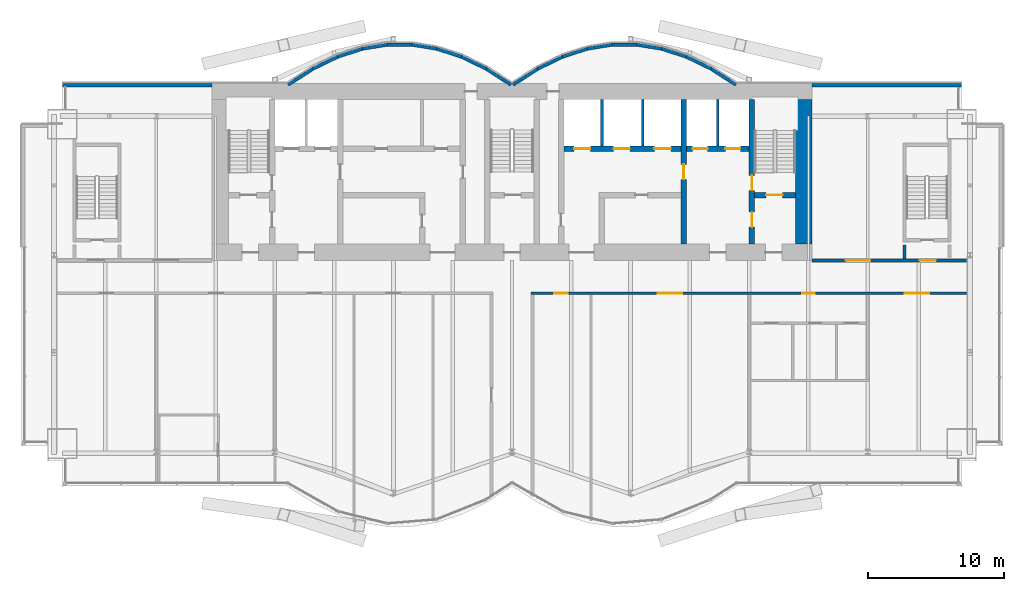
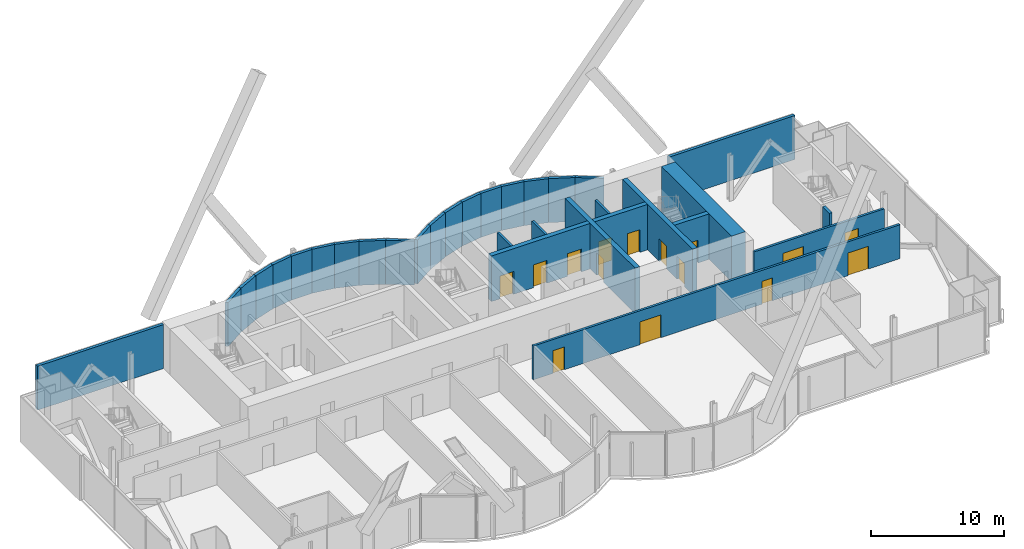
# One storey, part 18 of 22: 31 walls, 15 doors, 15 openings.
"""IFC4 building model written with IfcOpenShell, lengths in metres."""

from ifc_helpers import new_model, si_unit, direction, frame, frame_2d, origin, place, context, subcontext, project, spatial, rectangle, extrude, material, layer, layer_set, layer_usage, type_object, element, fill, save


model = new_model("IFC4")

# Units and contexts
model_context = context("Model", 3, precision=1e-05, world=origin(), true_north=direction((0.0, 1.0)))
body_context = subcontext(model_context, "Body", "Model", "MODEL_VIEW")
ifc_project = project(units=[si_unit("LENGTHUNIT", "METRE"), si_unit("AREAUNIT", "SQUARE_METRE"), si_unit("VOLUMEUNIT", "CUBIC_METRE"), si_unit("PLANEANGLEUNIT", "RADIAN"), si_unit("MASSUNIT", "GRAM", prefix="KILO")], contexts=[model_context])

# Site, building, storey
site_placement = place(None, origin())
site = spatial("IfcSite", under=ifc_project, at=site_placement, CompositionType="ELEMENT")
building_placement = place(site_placement, origin())
building = spatial("IfcBuilding", under=site, at=building_placement, Name="Bicima Exchange Tower", CompositionType="ELEMENT")
storey_placement = place(building_placement, frame((0.0, 0.0, 254.0)))
storey = spatial("IfcBuildingStorey", under=building, at=storey_placement, Name="L57", CompositionType="ELEMENT", Elevation=254.0)

# Walls
ifc_material_1 = material(Name="Gypsum board partition")
ifc_layer_1 = layer(ifc_material_1, 0.199951171875)
ifc_layer_set_1 = layer_set([ifc_layer_1], Name="Gypsum board partition")
wall_type_1 = type_object("IfcWallType", Name="Fire-rated gypsum partition 200 EI120", PredefinedType="PARTITIONING", material=ifc_layer_set_1)
for number, where, z_axis, x_axis, name in (
    (1, (6.60009765625, -4.60009765625, 0.0), (0.0, 0.0, 1.0), (0.0, 1.0, 0.0), "partition wall 18"),
    (2, (9.60009765625, -4.60009765625, 0.0), (0.0, 0.0, 1.0), (0.0, 1.0, 0.0), "partition wall 19"),
    (3, (15.10009765625, -4.60009765625, 0.0), (0.0, 0.0, 1.0), (0.0, 1.0, 0.0), "partition wall 21"),
):
    element("IfcWall", number, at=place(storey_placement, frame(where, z_axis=z_axis, x_axis=x_axis)), inside=storey, type_object=wall_type_1, Name=name, PredefinedType="PARTITIONING", context=body_context, shape_type="SweptSolid", body=[
        extrude(rectangle(XDim=3.400146484375, YDim=0.199951171875, at=frame_2d((1.7001953125, 0.0))), origin(), (0.0, 0.0, 1.0), 3.1181640625),
    ])

# Wall, openings, doors
ifc_layer_2 = layer(ifc_material_1, 0.199951171875)
ifc_layer_set_2 = layer_set([ifc_layer_2], Name="Gypsum board partition")
wall_type_2 = type_object("IfcWallType", Name="Fire-rated gypsum partition 200 EI60", PredefinedType="PARTITIONING", material=ifc_layer_set_2)
wall_1_placement = place(storey_placement, frame((1.39990234375, -15.39990234375, 0.0), z_axis=(0.0, 0.0, 1.0), x_axis=(1.0, 0.0, 0.0)))
wall_1 = element("IfcWall", 4, at=wall_1_placement, inside=storey, type_object=wall_type_2, Name="partition wall 5", PredefinedType="PARTITIONING", context=body_context, shape_type="SweptSolid", body=[
    extrude(rectangle(XDim=31.940185546875, YDim=0.199951171875, at=frame_2d((15.97021484375, 0.0))), origin(), (0.0, 0.0, 1.0), 3.1181640625),
])
opening_1_placement = place(wall_1_placement, frame((1.699951171875, 0.0, 0.0)))
opening_1 = element("IfcOpeningElement", 5, at=opening_1_placement, cuts=wall_1, Name="Opening L57-012", PredefinedType="OPENING", context=body_context, shape_type="SweptSolid", body=[
    extrude(rectangle(XDim=1.0, YDim=2.10009765625, at=frame_2d((0.5, 1.050048828125))), frame((0.0, 0.11181640625, 0.0), z_axis=(0.0, -1.0, 0.0), x_axis=(1.0, 0.0, 0.0)), (0.0, 0.0, 1.0), 0.223876953125),
])
opening_2_placement = place(wall_1_placement, frame((9.300048828125, 0.0, 0.0)))
opening_2 = element("IfcOpeningElement", 6, at=opening_2_placement, cuts=wall_1, Name="Opening L57-013", PredefinedType="OPENING", context=body_context, shape_type="SweptSolid", body=[
    extrude(rectangle(XDim=1.800048828125, YDim=2.10009765625, at=frame_2d((0.89990234375, 1.050048828125))), frame((0.0, 0.11181640625, 0.0), z_axis=(0.0, -1.0, 0.0), x_axis=(1.0, 0.0, 0.0)), (0.0, 0.0, 1.0), 0.223876953125),
])
opening_3_placement = place(wall_1_placement, frame((19.89990234375, 0.0, 0.0)))
opening_3 = element("IfcOpeningElement", 7, at=opening_3_placement, cuts=wall_1, Name="Opening L57-014", PredefinedType="OPENING", context=body_context, shape_type="SweptSolid", body=[
    extrude(rectangle(XDim=0.89990234375, YDim=2.10009765625, at=frame_2d((0.449951171875, 1.050048828125))), frame((0.0, 0.11181640625, 0.0), z_axis=(0.0, -1.0, 0.0), x_axis=(1.0, 0.0, 0.0)), (0.0, 0.0, 1.0), 0.223876953125),
])
opening_4_placement = place(wall_1_placement, frame((27.39990234375, 0.0, 0.0)))
opening_4 = element("IfcOpeningElement", 8, at=opening_4_placement, cuts=wall_1, Name="Opening L57-018", PredefinedType="OPENING", context=body_context, shape_type="SweptSolid", body=[
    extrude(rectangle(XDim=1.800048828125, YDim=2.10009765625, at=frame_2d((0.89990234375, 1.050048828125))), frame((0.0, 0.11181640625, 0.0), z_axis=(0.0, -1.0, 0.0), x_axis=(1.0, 0.0, 0.0)), (0.0, 0.0, 1.0), 0.223876953125),
])
ifc_material_2 = material(Name="Steel fire door leaf", Category="steel")
door_type_1 = type_object("IfcDoorType", Name="Door 1000 swing FD30S", OperationType="SINGLE_SWING_LEFT", PredefinedType="DOOR", material=ifc_material_2)
door_1_placement = place(opening_1_placement, frame((1.0, 0.0, 0.0), z_axis=(0.0, 0.0, 1.0), x_axis=(-1.0, 0.0, 0.0)))
door_1 = element("IfcDoor", 9, at=door_1_placement, inside=storey, type_object=door_type_1, Name="Door", OperationType="SINGLE_SWING_RIGHT", OverallHeight=2.10009765625, OverallWidth=1.0, PredefinedType="DOOR", context=body_context, shape_type="SweptSolid", body=[
    extrude(rectangle(XDim=1.0, YDim=2.10009765625, at=frame_2d((0.5, 1.050048828125))), frame((0.0, 0.02490234375, 0.0), z_axis=(0.0, -1.0, 0.0), x_axis=(1.0, 0.0, 0.0)), (0.0, 0.0, 1.0), 0.050048828125),
])
fill(opening_1, door_1)
door_type_2 = type_object("IfcDoorType", Name="Door 1800 double swing FD30S", OperationType="DOUBLE_DOOR_SINGLE_SWING", PredefinedType="DOOR", material=ifc_material_2)
door_2_placement = place(opening_2_placement, origin())
door_2 = element("IfcDoor", 10, at=door_2_placement, inside=storey, type_object=door_type_2, Name="Door", OperationType="SINGLE_SWING_LEFT", OverallHeight=2.10009765625, OverallWidth=1.800048828125, PredefinedType="DOOR", context=body_context, shape_type="SweptSolid", body=[
    extrude(rectangle(XDim=1.800048828125, YDim=2.10009765625, at=frame_2d((0.89990234375, 1.050048828125))), frame((0.0, 0.02490234375, 0.0), z_axis=(0.0, -1.0, 0.0), x_axis=(1.0, 0.0, 0.0)), (0.0, 0.0, 1.0), 0.050048828125),
])
fill(opening_2, door_2)
door_3_placement = place(opening_4_placement, origin())
door_3 = element("IfcDoor", 11, at=door_3_placement, inside=storey, type_object=door_type_2, Name="Door", OperationType="SINGLE_SWING_LEFT", OverallHeight=2.10009765625, OverallWidth=1.800048828125, PredefinedType="DOOR", context=body_context, shape_type="SweptSolid", body=[
    extrude(rectangle(XDim=1.800048828125, YDim=2.10009765625, at=frame_2d((0.89990234375, 1.050048828125))), frame((0.0, 0.02490234375, 0.0), z_axis=(0.0, -1.0, 0.0), x_axis=(1.0, 0.0, 0.0)), (0.0, 0.0, 1.0), 0.050048828125),
])
fill(opening_4, door_3)
door_type_3 = type_object("IfcDoorType", Name="Door 900 swing FD30S", OperationType="SINGLE_SWING_LEFT", PredefinedType="DOOR", material=ifc_material_2)
door_4_placement = place(opening_3_placement, frame((0.89990234375, 0.0, 0.0), z_axis=(0.0, 0.0, 1.0), x_axis=(-1.0, 0.0, 0.0)))
door_4 = element("IfcDoor", 12, at=door_4_placement, inside=storey, type_object=door_type_3, Name="Door", OperationType="SINGLE_SWING_RIGHT", OverallHeight=2.10009765625, OverallWidth=0.89990234375, PredefinedType="DOOR", context=body_context, shape_type="SweptSolid", body=[
    extrude(rectangle(XDim=0.89990234375, YDim=2.10009765625, at=frame_2d((0.449951171875, 1.050048828125))), frame((0.0, 0.02490234375, 0.0), z_axis=(0.0, -1.0, 0.0), x_axis=(1.0, 0.0, 0.0)), (0.0, 0.0, 1.0), 0.050048828125),
])
fill(opening_3, door_4)

wall_2_placement = place(storey_placement, frame((22.0, -13.0, 0.0), z_axis=(0.0, 0.0, 1.0), x_axis=(1.0, 0.0, 0.0)))
wall_2 = element("IfcWall", 13, at=wall_2_placement, inside=storey, type_object=wall_type_2, Name="partition wall 7", PredefinedType="PARTITIONING", context=body_context, shape_type="SweptSolid", body=[
    extrude(rectangle(XDim=11.340087890625, YDim=0.199951171875, at=frame_2d((5.669921875, 0.0))), origin(), (0.0, 0.0, 1.0), 3.1181640625),
])
opening_5_placement = place(wall_2_placement, frame((7.89990234375, 0.0, 0.0)))
opening_5 = element("IfcOpeningElement", 14, at=opening_5_placement, cuts=wall_2, Name="Opening L57-003", PredefinedType="OPENING", context=body_context, shape_type="SweptSolid", body=[
    extrude(rectangle(XDim=1.199951171875, YDim=2.10009765625, at=frame_2d((0.60009765625, 1.050048828125))), frame((0.0, 0.11181640625, 0.0), z_axis=(0.0, -1.0, 0.0), x_axis=(1.0, 0.0, 0.0)), (0.0, 0.0, 1.0), 0.223876953125),
])
opening_6_placement = place(wall_2_placement, frame((2.5, 0.0, 0.0)))
opening_6 = element("IfcOpeningElement", 15, at=opening_6_placement, cuts=wall_2, Name="Opening L57-006", PredefinedType="OPENING", context=body_context, shape_type="SweptSolid", body=[
    extrude(rectangle(XDim=1.800048828125, YDim=2.10009765625, at=frame_2d((0.89990234375, 1.050048828125))), frame((0.0, 0.11181640625, 0.0), z_axis=(0.0, -1.0, 0.0), x_axis=(1.0, 0.0, 0.0)), (0.0, 0.0, 1.0), 0.223876953125),
])
door_type_4 = type_object("IfcDoorType", Name="Door 1200 swing FD30S", OperationType="SINGLE_SWING_LEFT", PredefinedType="DOOR", material=ifc_material_2)
door_5_placement = place(opening_5_placement, origin())
door_5 = element("IfcDoor", 16, at=door_5_placement, inside=storey, type_object=door_type_4, Name="Door", OperationType="SINGLE_SWING_RIGHT", OverallHeight=2.10009765625, OverallWidth=1.199951171875, PredefinedType="DOOR", context=body_context, shape_type="SweptSolid", body=[
    extrude(rectangle(XDim=1.199951171875, YDim=2.10009765625, at=frame_2d((0.60009765625, 1.050048828125))), frame((0.0, 0.02490234375, 0.0), z_axis=(0.0, -1.0, 0.0), x_axis=(1.0, 0.0, 0.0)), (0.0, 0.0, 1.0), 0.050048828125),
])
fill(opening_5, door_5)
door_6_placement = place(opening_6_placement, origin())
door_6 = element("IfcDoor", 17, at=door_6_placement, inside=storey, type_object=door_type_2, Name="Door", OperationType="SINGLE_SWING_LEFT", OverallHeight=2.10009765625, OverallWidth=1.800048828125, PredefinedType="DOOR", context=body_context, shape_type="SweptSolid", body=[
    extrude(rectangle(XDim=1.800048828125, YDim=2.10009765625, at=frame_2d((0.89990234375, 1.050048828125))), frame((0.0, 0.02490234375, 0.0), z_axis=(0.0, -1.0, 0.0), x_axis=(1.0, 0.0, 0.0)), (0.0, 0.0, 1.0), 0.050048828125),
])
fill(opening_6, door_6)

# Walls
ifc_material_3 = material(Name="Concrete C40/50", Category="concrete")
ifc_layer_3 = layer(ifc_material_3, 1.199951171875)
ifc_layer_set_3 = layer_set([ifc_layer_3], Name="Concrete C40/50")
wall_type_3 = type_object("IfcWallType", Name="RC core wall 1200 C40/50", PredefinedType="SHEAR", material=ifc_layer_set_3)
wall_3_placement = place(storey_placement, frame((21.39990234375, -11.800048828125, 0.0), z_axis=(0.0, 0.0, 1.0), x_axis=(0.0, 1.0, 0.0)))
element("IfcWall", 18, at=wall_3_placement, inside=storey, type_object=wall_type_3, Name="Core wall east", PredefinedType="SHEAR", context=body_context, shape_type="SweptSolid", body=[
    extrude(rectangle(XDim=10.60009765625, YDim=1.199951171875, at=frame_2d((5.300048828125, 0.0))), origin(), (0.0, 0.0, 1.0), 4.199951171875),
])
ifc_material_4 = material(Name="Concrete C50/60", Category="concrete")
ifc_layer_4 = layer(ifc_material_4, 0.25)
ifc_layer_set_4 = layer_set([ifc_layer_4], Name="Concrete C50/60")
wall_type_4 = type_object("IfcWallType", Name="RC core wall 250 C50/60", PredefinedType="SHEAR", material=ifc_layer_set_4)
wall_4_placement = place(storey_placement, frame((28.800048828125, -12.89990234375, 0.0), z_axis=(0.0, 0.0, 1.0), x_axis=(0.0, 1.0, 0.0)))
element("IfcWall", 19, at=wall_4_placement, inside=storey, type_object=wall_type_4, Name="stair wall 30", PredefinedType="SHEAR", context=body_context, shape_type="SweptSolid", body=[
    extrude(rectangle(XDim=1.0498046875, YDim=0.25, at=frame_2d((0.52490234375, 0.0))), origin(), (0.0, 0.0, 1.0), 4.199951171875),
])

# Wall, openings, doors
ifc_layer_5 = layer(ifc_material_3, 0.39990234375)
ifc_layer_set_5 = layer_set([ifc_layer_5], Name="Concrete C40/50")
wall_type_5 = type_object("IfcWallType", Name="RC core wall 400 C40/50", PredefinedType="SHEAR", material=ifc_layer_set_5)
wall_5_placement = place(storey_placement, frame((3.800048828125, -4.800048828125, 0.0), z_axis=(0.0, 0.0, 1.0), x_axis=(1.0, 0.0, 0.0)))
wall_5 = element("IfcWall", 20, at=wall_5_placement, inside=storey, type_object=wall_type_5, Name="shear wall 7", PredefinedType="SHEAR", context=body_context, shape_type="SweptSolid", body=[
    extrude(rectangle(XDim=13.599853515625, YDim=0.39990234375, at=frame_2d((6.7998046875, 0.0))), origin(), (0.0, 0.0, 1.0), 4.199951171875),
])
opening_7_placement = place(wall_5_placement, frame((0.75, 0.0, 0.0)))
opening_7 = element("IfcOpeningElement", 21, at=opening_7_placement, cuts=wall_5, Name="Opening LD-HB1-L57", PredefinedType="OPENING", context=body_context, shape_type="SweptSolid", body=[
    extrude(rectangle(XDim=1.199951171875, YDim=2.10009765625, at=frame_2d((0.60009765625, 1.050048828125))), frame((0.0, 0.2119140625, 0.0), z_axis=(0.0, -1.0, 0.0), x_axis=(1.0, 0.0, 0.0)), (0.0, 0.0, 1.0), 0.423828125),
])
opening_8_placement = place(wall_5_placement, frame((3.64990234375, 0.0, 0.0)))
opening_8 = element("IfcOpeningElement", 22, at=opening_8_placement, cuts=wall_5, Name="Opening LD-HB2-L57", PredefinedType="OPENING", context=body_context, shape_type="SweptSolid", body=[
    extrude(rectangle(XDim=1.199951171875, YDim=2.10009765625, at=frame_2d((0.60009765625, 1.050048828125))), frame((0.0, 0.2119140625, 0.0), z_axis=(0.0, -1.0, 0.0), x_axis=(1.0, 0.0, 0.0)), (0.0, 0.0, 1.0), 0.423828125),
])
opening_9_placement = place(wall_5_placement, frame((6.64990234375, 0.0, 0.0)))
opening_9 = element("IfcOpeningElement", 23, at=opening_9_placement, cuts=wall_5, Name="Opening LD-HB3-L57", PredefinedType="OPENING", context=body_context, shape_type="SweptSolid", body=[
    extrude(rectangle(XDim=1.199951171875, YDim=2.10009765625, at=frame_2d((0.60009765625, 1.050048828125))), frame((0.0, 0.2119140625, 0.0), z_axis=(0.0, -1.0, 0.0), x_axis=(1.0, 0.0, 0.0)), (0.0, 0.0, 1.0), 0.423828125),
])
opening_10_placement = place(wall_5_placement, frame((9.449951171875, 0.0, 0.0)))
opening_10 = element("IfcOpeningElement", 24, at=opening_10_placement, cuts=wall_5, Name="Opening LD-FF2-L57", PredefinedType="OPENING", context=body_context, shape_type="SweptSolid", body=[
    extrude(rectangle(XDim=1.10009765625, YDim=2.10009765625, at=frame_2d((0.550048828125, 1.050048828125))), frame((0.0, 0.2119140625, 0.0), z_axis=(0.0, -1.0, 0.0), x_axis=(1.0, 0.0, 0.0)), (0.0, 0.0, 1.0), 0.423828125),
])
opening_11_placement = place(wall_5_placement, frame((11.85009765625, 0.0, 0.0)))
opening_11 = element("IfcOpeningElement", 25, at=opening_11_placement, cuts=wall_5, Name="Opening LD-SV1-L57", PredefinedType="OPENING", context=body_context, shape_type="SweptSolid", body=[
    extrude(rectangle(XDim=1.10009765625, YDim=2.10009765625, at=frame_2d((0.550048828125, 1.050048828125))), frame((0.0, 0.2119140625, 0.0), z_axis=(0.0, -1.0, 0.0), x_axis=(1.0, 0.0, 0.0)), (0.0, 0.0, 1.0), 0.423828125),
])
ifc_material_5 = material(Name="Stainless steel", Category="steel")
door_type_5 = type_object("IfcDoorType", Name="Lift landing door 1100 sliding", OperationType="DOUBLE_DOOR_SLIDING", PredefinedType="DOOR", material=ifc_material_5)
door_7_placement = place(opening_10_placement, origin())
door_7 = element("IfcDoor", 26, at=door_7_placement, inside=storey, type_object=door_type_5, Name="Lift landing door FF2", OperationType="DOUBLE_DOOR_SLIDING", OverallHeight=2.10009765625, OverallWidth=1.10009765625, PredefinedType="DOOR", context=body_context, shape_type="SweptSolid", body=[
    extrude(rectangle(XDim=1.10009765625, YDim=2.10009765625, at=frame_2d((0.550048828125, 1.050048828125))), frame((0.0, 0.02490234375, 0.0), z_axis=(0.0, -1.0, 0.0), x_axis=(1.0, 0.0, 0.0)), (0.0, 0.0, 1.0), 0.050048828125),
])
fill(opening_10, door_7)
door_8_placement = place(opening_11_placement, origin())
door_8 = element("IfcDoor", 27, at=door_8_placement, inside=storey, type_object=door_type_5, Name="Lift landing door SV1", OperationType="DOUBLE_DOOR_SLIDING", OverallHeight=2.10009765625, OverallWidth=1.10009765625, PredefinedType="DOOR", context=body_context, shape_type="SweptSolid", body=[
    extrude(rectangle(XDim=1.10009765625, YDim=2.10009765625, at=frame_2d((0.550048828125, 1.050048828125))), frame((0.0, 0.02490234375, 0.0), z_axis=(0.0, -1.0, 0.0), x_axis=(1.0, 0.0, 0.0)), (0.0, 0.0, 1.0), 0.050048828125),
])
fill(opening_11, door_8)
door_type_6 = type_object("IfcDoorType", Name="Lift landing door 1200 sliding", OperationType="DOUBLE_DOOR_SLIDING", PredefinedType="DOOR", material=ifc_material_5)
door_9_placement = place(opening_7_placement, origin())
door_9 = element("IfcDoor", 28, at=door_9_placement, inside=storey, type_object=door_type_6, Name="Lift landing door HB1", OperationType="DOUBLE_DOOR_SLIDING", OverallHeight=2.10009765625, OverallWidth=1.199951171875, PredefinedType="DOOR", context=body_context, shape_type="SweptSolid", body=[
    extrude(rectangle(XDim=1.199951171875, YDim=2.10009765625, at=frame_2d((0.60009765625, 1.050048828125))), frame((0.0, 0.02490234375, 0.0), z_axis=(0.0, -1.0, 0.0), x_axis=(1.0, 0.0, 0.0)), (0.0, 0.0, 1.0), 0.050048828125),
])
fill(opening_7, door_9)
door_10_placement = place(opening_8_placement, origin())
door_10 = element("IfcDoor", 29, at=door_10_placement, inside=storey, type_object=door_type_6, Name="Lift landing door HB2", OperationType="DOUBLE_DOOR_SLIDING", OverallHeight=2.10009765625, OverallWidth=1.199951171875, PredefinedType="DOOR", context=body_context, shape_type="SweptSolid", body=[
    extrude(rectangle(XDim=1.199951171875, YDim=2.10009765625, at=frame_2d((0.60009765625, 1.050048828125))), frame((0.0, 0.02490234375, 0.0), z_axis=(0.0, -1.0, 0.0), x_axis=(1.0, 0.0, 0.0)), (0.0, 0.0, 1.0), 0.050048828125),
])
fill(opening_8, door_10)
door_11_placement = place(opening_9_placement, origin())
door_11 = element("IfcDoor", 30, at=door_11_placement, inside=storey, type_object=door_type_6, Name="Lift landing door HB3", OperationType="DOUBLE_DOOR_SLIDING", OverallHeight=2.10009765625, OverallWidth=1.199951171875, PredefinedType="DOOR", context=body_context, shape_type="SweptSolid", body=[
    extrude(rectangle(XDim=1.199951171875, YDim=2.10009765625, at=frame_2d((0.60009765625, 1.050048828125))), frame((0.0, 0.02490234375, 0.0), z_axis=(0.0, -1.0, 0.0), x_axis=(1.0, 0.0, 0.0)), (0.0, 0.0, 1.0), 0.050048828125),
])
fill(opening_9, door_11)

# Wall, opening, door
wall_6_placement = place(storey_placement, frame((12.60009765625, -11.800048828125, 0.0), z_axis=(0.0, 0.0, 1.0), x_axis=(0.0, 1.0, 0.0)))
wall_6 = element("IfcWall", 31, at=wall_6_placement, inside=storey, type_object=wall_type_5, Name="shear wall 20", PredefinedType="SHEAR", context=body_context, shape_type="SweptSolid", body=[
    extrude(rectangle(XDim=10.60009765625, YDim=0.39990234375, at=frame_2d((5.300048828125, 0.0))), origin(), (0.0, 0.0, 1.0), 4.199951171875),
])
opening_12_placement = place(wall_6_placement, frame((4.75, 0.0, 0.0)))
opening_12 = element("IfcOpeningElement", 32, at=opening_12_placement, cuts=wall_6, Name="Opening L57-C09", PredefinedType="OPENING", context=body_context, shape_type="SweptSolid", body=[
    extrude(rectangle(XDim=1.10009765625, YDim=2.10009765625, at=frame_2d((0.550048828125, 1.050048828125))), frame((0.0, 0.2119140625, 0.0), z_axis=(0.0, -1.0, 0.0), x_axis=(1.0, 0.0, 0.0)), (0.0, 0.0, 1.0), 0.423828125),
])
door_type_7 = type_object("IfcDoorType", Name="Door 1100 swing FD60S", OperationType="SINGLE_SWING_LEFT", PredefinedType="DOOR", material=ifc_material_2)
door_12_placement = place(opening_12_placement, frame((1.10009765625, 0.0, 0.0), z_axis=(0.0, 0.0, 1.0), x_axis=(-1.0, 0.0, 0.0)))
door_12 = element("IfcDoor", 33, at=door_12_placement, inside=storey, type_object=door_type_7, Name="Core door", OperationType="SINGLE_SWING_RIGHT", OverallHeight=2.10009765625, OverallWidth=1.10009765625, PredefinedType="DOOR", context=body_context, shape_type="SweptSolid", body=[
    extrude(rectangle(XDim=1.10009765625, YDim=2.10009765625, at=frame_2d((0.550048828125, 1.050048828125))), frame((0.0, 0.02490234375, 0.0), z_axis=(0.0, -1.0, 0.0), x_axis=(1.0, 0.0, 0.0)), (0.0, 0.0, 1.0), 0.050048828125),
])
fill(opening_12, door_12)

ifc_layer_6 = layer(ifc_material_4, 0.39990234375)
ifc_layer_set_6 = layer_set([ifc_layer_6], Name="Concrete C50/60")
wall_type_6 = type_object("IfcWallType", Name="RC core wall 400 C50/60", PredefinedType="SHEAR", material=ifc_layer_set_6)
wall_7_placement = place(storey_placement, frame((17.800048828125, -8.199951171875, 0.0), z_axis=(0.0, 0.0, 1.0), x_axis=(1.0, 0.0, 0.0)))
wall_7 = element("IfcWall", 34, at=wall_7_placement, inside=storey, type_object=wall_type_6, Name="stair wall 5", PredefinedType="SHEAR", context=body_context, shape_type="SweptSolid", body=[
    extrude(rectangle(XDim=3.0, YDim=0.39990234375, at=frame_2d((1.5, 0.0))), origin(), (0.0, 0.0, 1.0), 4.199951171875),
])
opening_13_placement = place(wall_7_placement, frame((0.85009765625, 0.0, 0.0)))
opening_13 = element("IfcOpeningElement", 35, at=opening_13_placement, cuts=wall_7, Name="Opening L57-C04", PredefinedType="OPENING", context=body_context, shape_type="SweptSolid", body=[
    extrude(rectangle(XDim=1.199951171875, YDim=2.10009765625, at=frame_2d((0.60009765625, 1.050048828125))), frame((0.0, 0.2119140625, 0.0), z_axis=(0.0, -1.0, 0.0), x_axis=(1.0, 0.0, 0.0)), (0.0, 0.0, 1.0), 0.423828125),
])
door_type_8 = type_object("IfcDoorType", Name="Door 1200 swing FD60S", OperationType="SINGLE_SWING_LEFT", PredefinedType="DOOR", material=ifc_material_2)
door_13_placement = place(opening_13_placement, origin())
door_13 = element("IfcDoor", 36, at=door_13_placement, inside=storey, type_object=door_type_8, Name="Core door", OperationType="SINGLE_SWING_RIGHT", OverallHeight=2.10009765625, OverallWidth=1.199951171875, PredefinedType="DOOR", context=body_context, shape_type="SweptSolid", body=[
    extrude(rectangle(XDim=1.199951171875, YDim=2.10009765625, at=frame_2d((0.60009765625, 1.050048828125))), frame((0.0, 0.02490234375, 0.0), z_axis=(0.0, -1.0, 0.0), x_axis=(1.0, 0.0, 0.0)), (0.0, 0.0, 1.0), 0.050048828125),
])
fill(opening_13, door_13)

# Wall, openings, doors
wall_8_placement = place(storey_placement, frame((17.60009765625, -11.800048828125, 0.0), z_axis=(0.0, 0.0, 1.0), x_axis=(0.0, 1.0, 0.0)))
wall_8 = element("IfcWall", 37, at=wall_8_placement, inside=storey, type_object=wall_type_6, Name="stair wall 22", PredefinedType="SHEAR", context=body_context, shape_type="SweptSolid", body=[
    extrude(rectangle(XDim=10.60009765625, YDim=0.39990234375, at=frame_2d((5.300048828125, 0.0))), origin(), (0.0, 0.0, 1.0), 4.199951171875),
])
opening_14_placement = place(wall_8_placement, frame((1.25, 0.0, 0.0)))
opening_14 = element("IfcOpeningElement", 38, at=opening_14_placement, cuts=wall_8, Name="Opening L57-C05", PredefinedType="OPENING", context=body_context, shape_type="SweptSolid", body=[
    extrude(rectangle(XDim=1.10009765625, YDim=2.10009765625, at=frame_2d((0.550048828125, 1.050048828125))), frame((0.0, 0.2119140625, 0.0), z_axis=(0.0, -1.0, 0.0), x_axis=(1.0, 0.0, 0.0)), (0.0, 0.0, 1.0), 0.423828125),
])
opening_15_placement = place(wall_8_placement, frame((3.949951171875, 0.0, 0.0)))
opening_15 = element("IfcOpeningElement", 39, at=opening_15_placement, cuts=wall_8, Name="Opening L57-C08", PredefinedType="OPENING", context=body_context, shape_type="SweptSolid", body=[
    extrude(rectangle(XDim=1.10009765625, YDim=2.10009765625, at=frame_2d((0.550048828125, 1.050048828125))), frame((0.0, 0.2119140625, 0.0), z_axis=(0.0, -1.0, 0.0), x_axis=(1.0, 0.0, 0.0)), (0.0, 0.0, 1.0), 0.423828125),
])
door_14_placement = place(opening_14_placement, origin())
door_14 = element("IfcDoor", 40, at=door_14_placement, inside=storey, type_object=door_type_7, Name="Core door", OperationType="SINGLE_SWING_LEFT", OverallHeight=2.10009765625, OverallWidth=1.10009765625, PredefinedType="DOOR", context=body_context, shape_type="SweptSolid", body=[
    extrude(rectangle(XDim=1.10009765625, YDim=2.10009765625, at=frame_2d((0.550048828125, 1.050048828125))), frame((0.0, 0.02490234375, 0.0), z_axis=(0.0, -1.0, 0.0), x_axis=(1.0, 0.0, 0.0)), (0.0, 0.0, 1.0), 0.050048828125),
])
fill(opening_14, door_14)
door_15_placement = place(opening_15_placement, origin())
door_15 = element("IfcDoor", 41, at=door_15_placement, inside=storey, type_object=door_type_7, Name="Core door", OperationType="SINGLE_SWING_RIGHT", OverallHeight=2.10009765625, OverallWidth=1.10009765625, PredefinedType="DOOR", context=body_context, shape_type="SweptSolid", body=[
    extrude(rectangle(XDim=1.10009765625, YDim=2.10009765625, at=frame_2d((0.550048828125, 1.050048828125))), frame((0.0, 0.02490234375, 0.0), z_axis=(0.0, -1.0, 0.0), x_axis=(1.0, 0.0, 0.0)), (0.0, 0.0, 1.0), 0.050048828125),
])
fill(opening_15, door_15)

# Walls
ifc_layer_7 = layer(ifc_material_3, 0.25)
ifc_layer_set_7 = layer_set([ifc_layer_7], Name="Concrete C40/50")
ifc_layer_usage = layer_usage(ifc_layer_set_7, "AXIS2", "POSITIVE", -0.125)
wall_type_7 = type_object("IfcWallType", Name="Rear backup wall 250", PredefinedType="STANDARD", material=ifc_layer_set_7)
wall_9_placement = place(storey_placement, frame((33.0, -0.125, 0.0), z_axis=(0.0, 0.0, 1.0), x_axis=(-1.0, 0.0, 0.0)))
element("IfcWall", 42, at=wall_9_placement, inside=storey, type_object=wall_type_7, material=ifc_layer_usage, Name="Rear backup wall L57 1", PredefinedType="STANDARD", context=body_context, shape_type="SweptSolid", body=[
    extrude(rectangle(XDim=11.0, YDim=0.25, at=frame_2d((5.5, 0.0))), origin(), (0.0, 0.0, 1.0), 4.050048828125),
])
wall_10_placement = place(storey_placement, frame((16.43212890625, -0.10498046875, 0.0), z_axis=(0.0, 0.0, 1.0), x_axis=(-0.83981312244, 0.542875602121, 0.0)))
element("IfcWall", 43, at=wall_10_placement, inside=storey, type_object=wall_type_7, material=ifc_layer_usage, Name="Rear backup wall L57 2", PredefinedType="STANDARD", context=body_context, shape_type="SweptSolid", body=[
    extrude(rectangle(XDim=2.182861328125, YDim=0.25, at=frame_2d((1.09130859375, 0.0))), origin(), (0.0, 0.0, 1.0), 4.050048828125),
])
wall_11_placement = place(storey_placement, frame((14.6123046875, 1.07275390625, 0.0), z_axis=(0.0, 0.0, 1.0), x_axis=(-0.89982408427, 0.436252928206, 0.0)))
element("IfcWall", 44, at=wall_11_placement, inside=storey, type_object=wall_type_7, material=ifc_layer_usage, Name="Rear backup wall L57 3", PredefinedType="STANDARD", context=body_context, shape_type="SweptSolid", body=[
    extrude(rectangle(XDim=2.03759765625, YDim=0.25, at=frame_2d((1.018798828125, 0.0))), origin(), (0.0, 0.0, 1.0), 4.050048828125),
])
wall_12_placement = place(storey_placement, frame((12.794921875, 1.955078125, 0.0), z_axis=(0.0, 0.0, 1.0), x_axis=(-0.951495806175, 0.307661714928, 0.0)))
element("IfcWall", 45, at=wall_12_placement, inside=storey, type_object=wall_type_7, material=ifc_layer_usage, Name="Rear backup wall L57 4", PredefinedType="STANDARD", context=body_context, shape_type="SweptSolid", body=[
    extrude(rectangle(XDim=1.9267578125, YDim=0.25, at=frame_2d((0.96337890625, 0.0))), origin(), (0.0, 0.0, 1.0), 4.050048828125),
])
wall_13_placement = place(storey_placement, frame((10.97998046875, 2.543212890625, 0.0), z_axis=(0.0, 0.0, 1.0), x_axis=(-0.987181718931, 0.159600293885, 0.0)))
element("IfcWall", 46, at=wall_13_placement, inside=storey, type_object=wall_type_7, material=ifc_layer_usage, Name="Rear backup wall L57 5", PredefinedType="STANDARD", context=body_context, shape_type="SweptSolid", body=[
    extrude(rectangle(XDim=1.857177734375, YDim=0.25, at=frame_2d((0.9287109375, 0.0))), origin(), (0.0, 0.0, 1.0), 4.050048828125),
])
wall_14_placement = place(storey_placement, frame((9.166748046875, 2.837890625, 0.0), z_axis=(0.0, 0.0, 1.0), x_axis=(-1.0, 0.0, 0.0)))
element("IfcWall", 47, at=wall_14_placement, inside=storey, type_object=wall_type_7, material=ifc_layer_usage, Name="Rear backup wall L57 6", PredefinedType="STANDARD", context=body_context, shape_type="SweptSolid", body=[
    extrude(rectangle(XDim=1.83349609375, YDim=0.25, at=frame_2d((0.916748046875, 0.0))), origin(), (0.0, 0.0, 1.0), 4.050048828125),
])
wall_15_placement = place(storey_placement, frame((7.353271484375, 2.839599609375, 0.0), z_axis=(0.0, 0.0, 1.0), x_axis=(-0.987181718931, -0.159600293885, 0.0)))
element("IfcWall", 48, at=wall_15_placement, inside=storey, type_object=wall_type_7, material=ifc_layer_usage, Name="Rear backup wall L57 7", PredefinedType="STANDARD", context=body_context, shape_type="SweptSolid", body=[
    extrude(rectangle(XDim=1.857177734375, YDim=0.25, at=frame_2d((0.9287109375, 0.0))), origin(), (0.0, 0.0, 1.0), 4.050048828125),
])
wall_16_placement = place(storey_placement, frame((5.538330078125, 2.5478515625, 0.0), z_axis=(0.0, 0.0, 1.0), x_axis=(-0.951495806175, -0.307661714928, 0.0)))
element("IfcWall", 49, at=wall_16_placement, inside=storey, type_object=wall_type_7, material=ifc_layer_usage, Name="Rear backup wall L57 8", PredefinedType="STANDARD", context=body_context, shape_type="SweptSolid", body=[
    extrude(rectangle(XDim=1.9267578125, YDim=0.25, at=frame_2d((0.96337890625, 0.0))), origin(), (0.0, 0.0, 1.0), 4.050048828125),
])
wall_17_placement = place(storey_placement, frame((3.72119140625, 1.961669921875, 0.0), z_axis=(0.0, 0.0, 1.0), x_axis=(-0.89982408427, -0.436252928206, 0.0)))
element("IfcWall", 50, at=wall_17_placement, inside=storey, type_object=wall_type_7, material=ifc_layer_usage, Name="Rear backup wall L57 9", PredefinedType="STANDARD", context=body_context, shape_type="SweptSolid", body=[
    extrude(rectangle(XDim=2.03759765625, YDim=0.25, at=frame_2d((1.018798828125, 0.0))), origin(), (0.0, 0.0, 1.0), 4.050048828125),
])
for number, where, z_axis, x_axis, name in (
    (51, (1.901123046875, 1.080078125, 0.0), (0.0, 0.0, 1.0), (-0.83981312244, -0.542875602121, 0.0), "Rear backup wall L57 10"),
    (52, (-0.06787109375, -0.10498046875, 0.0), (0.0, 0.0, 1.0), (-0.83981312244, 0.542875602121, 0.0), "Rear backup wall L57 11"),
):
    element("IfcWall", number, at=place(storey_placement, frame(where, z_axis=z_axis, x_axis=x_axis)), inside=storey, type_object=wall_type_7, material=ifc_layer_usage, Name=name, PredefinedType="STANDARD", context=body_context, shape_type="SweptSolid", body=[
        extrude(rectangle(XDim=2.182861328125, YDim=0.25, at=frame_2d((1.09130859375, 0.0))), origin(), (0.0, 0.0, 1.0), 4.050048828125),
    ])
wall_18_placement = place(storey_placement, frame((-1.8876953125, 1.07275390625, 0.0), z_axis=(0.0, 0.0, 1.0), x_axis=(-0.89982408427, 0.436252928206, 0.0)))
element("IfcWall", 53, at=wall_18_placement, inside=storey, type_object=wall_type_7, material=ifc_layer_usage, Name="Rear backup wall L57 12", PredefinedType="STANDARD", context=body_context, shape_type="SweptSolid", body=[
    extrude(rectangle(XDim=2.03759765625, YDim=0.25, at=frame_2d((1.018798828125, 0.0))), origin(), (0.0, 0.0, 1.0), 4.050048828125),
])
wall_19_placement = place(storey_placement, frame((-3.705078125, 1.955078125, 0.0), z_axis=(0.0, 0.0, 1.0), x_axis=(-0.951495806175, 0.307661714928, 0.0)))
element("IfcWall", 54, at=wall_19_placement, inside=storey, type_object=wall_type_7, material=ifc_layer_usage, Name="Rear backup wall L57 13", PredefinedType="STANDARD", context=body_context, shape_type="SweptSolid", body=[
    extrude(rectangle(XDim=1.9267578125, YDim=0.25, at=frame_2d((0.96337890625, 0.0))), origin(), (0.0, 0.0, 1.0), 4.050048828125),
])
wall_20_placement = place(storey_placement, frame((-5.52001953125, 2.543212890625, 0.0), z_axis=(0.0, 0.0, 1.0), x_axis=(-0.987181718931, 0.159600293885, 0.0)))
element("IfcWall", 55, at=wall_20_placement, inside=storey, type_object=wall_type_7, material=ifc_layer_usage, Name="Rear backup wall L57 14", PredefinedType="STANDARD", context=body_context, shape_type="SweptSolid", body=[
    extrude(rectangle(XDim=1.857177734375, YDim=0.25, at=frame_2d((0.9287109375, 0.0))), origin(), (0.0, 0.0, 1.0), 4.050048828125),
])
wall_21_placement = place(storey_placement, frame((-7.333251953125, 2.837890625, 0.0), z_axis=(0.0, 0.0, 1.0), x_axis=(-1.0, 0.0, 0.0)))
element("IfcWall", 56, at=wall_21_placement, inside=storey, type_object=wall_type_7, material=ifc_layer_usage, Name="Rear backup wall L57 15", PredefinedType="STANDARD", context=body_context, shape_type="SweptSolid", body=[
    extrude(rectangle(XDim=1.83349609375, YDim=0.25, at=frame_2d((0.916748046875, 0.0))), origin(), (0.0, 0.0, 1.0), 4.050048828125),
])
wall_22_placement = place(storey_placement, frame((-9.146728515625, 2.839599609375, 0.0), z_axis=(0.0, 0.0, 1.0), x_axis=(-0.987181718931, -0.159600293885, 0.0)))
element("IfcWall", 57, at=wall_22_placement, inside=storey, type_object=wall_type_7, material=ifc_layer_usage, Name="Rear backup wall L57 16", PredefinedType="STANDARD", context=body_context, shape_type="SweptSolid", body=[
    extrude(rectangle(XDim=1.857177734375, YDim=0.25, at=frame_2d((0.9287109375, 0.0))), origin(), (0.0, 0.0, 1.0), 4.050048828125),
])
wall_23_placement = place(storey_placement, frame((-10.961669921875, 2.5478515625, 0.0), z_axis=(0.0, 0.0, 1.0), x_axis=(-0.951495806175, -0.307661714928, 0.0)))
element("IfcWall", 58, at=wall_23_placement, inside=storey, type_object=wall_type_7, material=ifc_layer_usage, Name="Rear backup wall L57 17", PredefinedType="STANDARD", context=body_context, shape_type="SweptSolid", body=[
    extrude(rectangle(XDim=1.9267578125, YDim=0.25, at=frame_2d((0.96337890625, 0.0))), origin(), (0.0, 0.0, 1.0), 4.050048828125),
])
wall_24_placement = place(storey_placement, frame((-12.77880859375, 1.961669921875, 0.0), z_axis=(0.0, 0.0, 1.0), x_axis=(-0.89982408427, -0.436252928206, 0.0)))
element("IfcWall", 59, at=wall_24_placement, inside=storey, type_object=wall_type_7, material=ifc_layer_usage, Name="Rear backup wall L57 18", PredefinedType="STANDARD", context=body_context, shape_type="SweptSolid", body=[
    extrude(rectangle(XDim=2.03759765625, YDim=0.25, at=frame_2d((1.018798828125, 0.0))), origin(), (0.0, 0.0, 1.0), 4.050048828125),
])
wall_25_placement = place(storey_placement, frame((-14.598876953125, 1.080078125, 0.0), z_axis=(0.0, 0.0, 1.0), x_axis=(-0.83981312244, -0.542875602121, 0.0)))
element("IfcWall", 60, at=wall_25_placement, inside=storey, type_object=wall_type_7, material=ifc_layer_usage, Name="Rear backup wall L57 19", PredefinedType="STANDARD", context=body_context, shape_type="SweptSolid", body=[
    extrude(rectangle(XDim=2.182861328125, YDim=0.25, at=frame_2d((1.09130859375, 0.0))), origin(), (0.0, 0.0, 1.0), 4.050048828125),
])
wall_26_placement = place(storey_placement, frame((-22.0, -0.125, 0.0), z_axis=(0.0, 0.0, 1.0), x_axis=(-1.0, 0.0, 0.0)))
element("IfcWall", 61, at=wall_26_placement, inside=storey, type_object=wall_type_7, material=ifc_layer_usage, Name="Rear backup wall L57 20", PredefinedType="STANDARD", context=body_context, shape_type="SweptSolid", body=[
    extrude(rectangle(XDim=11.0, YDim=0.25, at=frame_2d((5.5, 0.0))), origin(), (0.0, 0.0, 1.0), 4.050048828125),
])

save(model, "model.ifc")
